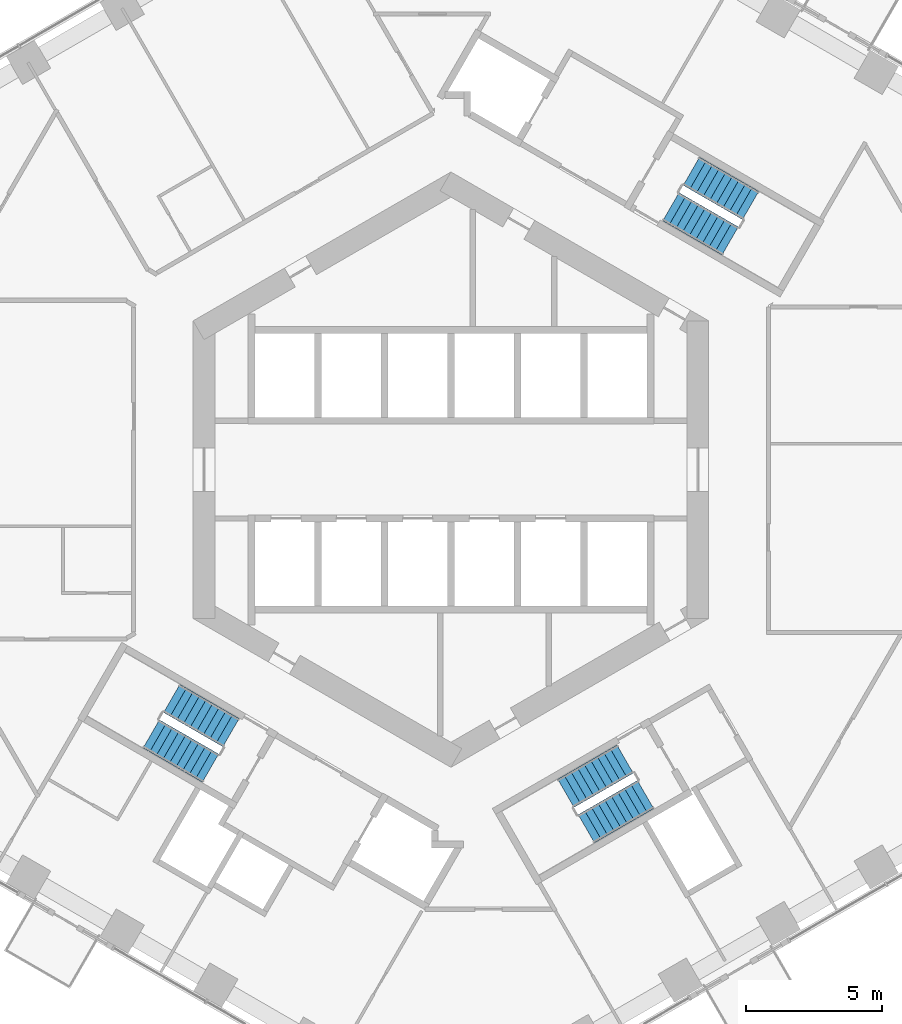
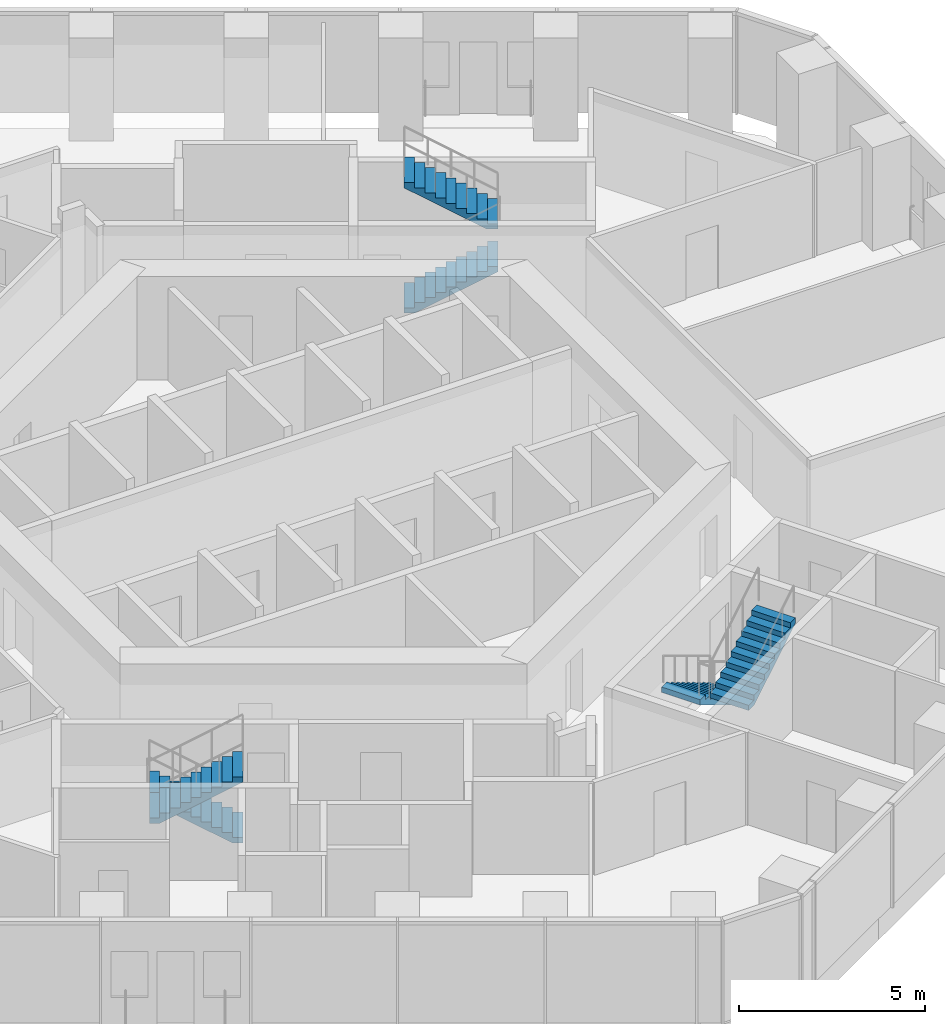
# One storey, part 16 of 19: 6 stair flights, 3 elements without a shape of their own.
"""IFC4 building model written with IfcOpenShell, lengths in metres."""

from ifc_helpers import new_model, si_unit, direction, frame, origin, place, context, subcontext, project, spatial, triangles, material, type_object, element, aggregate, save


model = new_model("IFC4")

# Units and contexts
model_context = context("Model", 3, precision=1e-05, world=origin(), true_north=direction((0.0, 1.0)))
body_context = subcontext(model_context, "Body", "Model", "MODEL_VIEW")
ifc_project = project(units=[si_unit("LENGTHUNIT", "METRE"), si_unit("AREAUNIT", "SQUARE_METRE"), si_unit("VOLUMEUNIT", "CUBIC_METRE"), si_unit("PLANEANGLEUNIT", "RADIAN"), si_unit("MASSUNIT", "GRAM", prefix="KILO")], contexts=[model_context])

# Site, building, storey
site_placement = place(None, origin())
site = spatial("IfcSite", under=ifc_project, at=site_placement, CompositionType="ELEMENT")
building_placement = place(site_placement, origin())
building = spatial("IfcBuilding", under=site, at=building_placement, Name="Ayvan Gate Tower", CompositionType="ELEMENT")
storey_placement = place(building_placement, frame((0.0, 0.0, 39.10009765625)))
storey = spatial("IfcBuildingStorey", under=building, at=storey_placement, Name="L09", CompositionType="ELEMENT", Elevation=39.10009765625)

# Stair, stair flights
ifc_material = material(Name="Concrete C40/50", Category="concrete")
stair_type = type_object("IfcStairType", Name="ST-EXIT", PredefinedType="HALF_TURN_STAIR", material=ifc_material)
stair_1_placement = place(storey_placement, origin())
stair_1 = element("IfcStair", 1, at=stair_1_placement, inside=storey, type_object=stair_type, Name="L09 Exit Stair S1", PredefinedType="HALF_TURN_STAIR")
stair_flight_type = type_object("IfcStairFlightType", Name="SFL-EXIT", PredefinedType="STRAIGHT", material=ifc_material)
stair_flight_1_placement = place(storey_placement, frame((8.106201171875, 9.690185546875, 0.0), z_axis=(0.0, 0.0, 1.0), x_axis=(0.866025403784, -0.5, 0.0)))
stair_flight_1 = element("IfcStairFlight", 2, at=stair_flight_1_placement, type_object=stair_flight_type, Name="STS1 flight 1", NumberOfRisers=10, NumberOfTreads=9, PredefinedType="STRAIGHT", RiserHeight=0.17, TreadLength=0.28, context=body_context, shape_type="Tessellation", body=[
    triangles([(0.288841, -0.599976, 0.0), (2.5205, -0.599976, 1.354936), (2.5205, -0.599976, 1.53), (2.24, -0.599976, 1.53), (2.24, -0.599976, 1.36), (1.96, -0.599976, 1.36), (1.96, -0.599976, 1.19), (1.68, -0.599976, 1.19), (1.68, -0.599976, 1.02), (1.4, -0.599976, 1.02), (1.4, -0.599976, 0.85), (1.12, -0.599976, 0.85), (1.12, -0.599976, 0.68), (0.84, -0.599976, 0.68), (0.84, -0.599976, 0.51), (0.56, -0.599976, 0.51), (0.56, -0.599976, 0.34), (0.28, -0.599976, 0.34), (0.28, -0.599976, 0.17), (-0.0005, -0.599976, 0.17), (-0.0005, -0.599976, 0.0), (0.288841, 0.0, 0.0), (2.5205, 0.0, 1.354936), (2.5205, 0.0, 1.53), (2.24, 0.0, 1.53), (2.24, 0.0, 1.36), (1.96, 0.0, 1.36), (1.96, 0.0, 1.19), (1.68, 0.0, 1.19), (1.68, 0.0, 1.02), (1.4, 0.0, 1.02), (1.4, 0.0, 0.85), (1.12, 0.0, 0.85), (1.12, 0.0, 0.68), (0.84, 0.0, 0.68), (0.84, 0.0, 0.51), (0.56, 0.0, 0.51), (0.56, 0.0, 0.34), (0.28, 0.0, 0.34), (0.28, 0.0, 0.17), (-0.0005, 0.0, 0.17), (-0.0005, 0.0, 0.0), (0.288841, 0.599976, 0.0), (2.5205, 0.599976, 1.354936), (2.5205, 0.599976, 1.53), (2.24, 0.599976, 1.53), (2.24, 0.599976, 1.36), (1.96, 0.599976, 1.36), (1.96, 0.599976, 1.19), (1.68, 0.599976, 1.19), (1.68, 0.599976, 1.02), (1.4, 0.599976, 1.02), (1.4, 0.599976, 0.85), (1.12, 0.599976, 0.85), (1.12, 0.599976, 0.68), (0.84, 0.599976, 0.68), (0.84, 0.599976, 0.51), (0.56, 0.599976, 0.51), (0.56, 0.599976, 0.34), (0.28, 0.599976, 0.34), (0.28, 0.599976, 0.17), (-0.0005, 0.599976, 0.17), (-0.0005, 0.599976, 0.0)], [[21, 1, 2], [63, 44, 43], [2, 3, 4], [44, 46, 45], [2, 4, 5], [44, 47, 46], [2, 5, 6], [44, 48, 47], [2, 6, 7], [44, 49, 48], [7, 8, 9], [49, 51, 50], [2, 7, 9], [44, 51, 49], [9, 10, 11], [51, 53, 52], [2, 9, 11], [44, 53, 51], [11, 12, 13], [53, 55, 54], [2, 11, 13], [44, 55, 53], [13, 14, 15], [55, 57, 56], [2, 13, 15], [44, 57, 55], [15, 16, 17], [57, 59, 58], [2, 15, 17], [44, 59, 57], [17, 18, 19], [59, 61, 60], [2, 17, 19], [44, 61, 59], [21, 2, 19], [63, 61, 44], [19, 20, 21], [61, 63, 62], [1, 22, 23], [1, 23, 2], [43, 23, 22], [43, 44, 23], [2, 23, 24], [2, 24, 3], [44, 24, 23], [44, 45, 24], [3, 24, 25], [3, 25, 4], [45, 25, 24], [45, 46, 25], [4, 25, 26], [4, 26, 5], [46, 26, 25], [46, 47, 26], [5, 26, 27], [5, 27, 6], [47, 27, 26], [47, 48, 27], [6, 27, 28], [6, 28, 7], [48, 28, 27], [48, 49, 28], [7, 28, 29], [7, 29, 8], [49, 29, 28], [49, 50, 29], [8, 29, 30], [8, 30, 9], [50, 30, 29], [50, 51, 30], [9, 30, 31], [9, 31, 10], [51, 31, 30], [51, 52, 31], [10, 31, 32], [10, 32, 11], [52, 32, 31], [52, 53, 32], [11, 32, 33], [11, 33, 12], [53, 33, 32], [53, 54, 33], [12, 33, 34], [12, 34, 13], [54, 34, 33], [54, 55, 34], [13, 34, 35], [13, 35, 14], [55, 35, 34], [55, 56, 35], [14, 35, 36], [14, 36, 15], [56, 36, 35], [56, 57, 36], [15, 36, 37], [15, 37, 16], [57, 37, 36], [57, 58, 37], [16, 37, 38], [16, 38, 17], [58, 38, 37], [58, 59, 38], [17, 38, 39], [17, 39, 18], [59, 39, 38], [59, 60, 39], [18, 39, 40], [18, 40, 19], [60, 40, 39], [60, 61, 40], [19, 40, 41], [19, 41, 20], [61, 41, 40], [61, 62, 41], [20, 41, 42], [20, 42, 21], [62, 42, 41], [62, 63, 42], [21, 42, 22], [21, 22, 1], [63, 22, 42], [63, 43, 22]], closed=True),
])
stair_flight_2_placement = place(storey_placement, frame((11.04345703125, 9.73779296875, 1.699951171875), z_axis=(0.0, 0.0, 1.0), x_axis=(-0.866025403784, 0.5, 0.0)))
stair_flight_2 = element("IfcStairFlight", 3, at=stair_flight_2_placement, type_object=stair_flight_type, Name="STS1 flight 2", NumberOfRisers=10, NumberOfTreads=9, PredefinedType="STRAIGHT", RiserHeight=0.17, TreadLength=0.28, context=body_context, shape_type="Tessellation", body=[
    triangles([(0.288841, -0.599976, 0.0), (2.5205, -0.599976, 1.354936), (2.5205, -0.599976, 1.53), (2.24, -0.599976, 1.53), (2.24, -0.599976, 1.36), (1.96, -0.599976, 1.36), (1.96, -0.599976, 1.19), (1.68, -0.599976, 1.19), (1.68, -0.599976, 1.02), (1.4, -0.599976, 1.02), (1.4, -0.599976, 0.85), (1.12, -0.599976, 0.85), (1.12, -0.599976, 0.68), (0.84, -0.599976, 0.68), (0.84, -0.599976, 0.51), (0.56, -0.599976, 0.51), (0.56, -0.599976, 0.34), (0.28, -0.599976, 0.34), (0.28, -0.599976, 0.17), (-0.0005, -0.599976, 0.17), (-0.0005, -0.599976, 0.0), (0.288841, 0.0, 0.0), (2.5205, 0.0, 1.354936), (2.5205, 0.0, 1.53), (2.24, 0.0, 1.53), (2.24, 0.0, 1.36), (1.96, 0.0, 1.36), (1.96, 0.0, 1.19), (1.68, 0.0, 1.19), (1.68, 0.0, 1.02), (1.4, 0.0, 1.02), (1.4, 0.0, 0.85), (1.12, 0.0, 0.85), (1.12, 0.0, 0.68), (0.84, 0.0, 0.68), (0.84, 0.0, 0.51), (0.56, 0.0, 0.51), (0.56, 0.0, 0.34), (0.28, 0.0, 0.34), (0.28, 0.0, 0.17), (-0.0005, 0.0, 0.17), (-0.0005, 0.0, 0.0), (0.288841, 0.599976, 0.0), (2.5205, 0.599976, 1.354936), (2.5205, 0.599976, 1.53), (2.24, 0.599976, 1.53), (2.24, 0.599976, 1.36), (1.96, 0.599976, 1.36), (1.96, 0.599976, 1.19), (1.68, 0.599976, 1.19), (1.68, 0.599976, 1.02), (1.4, 0.599976, 1.02), (1.4, 0.599976, 0.85), (1.12, 0.599976, 0.85), (1.12, 0.599976, 0.68), (0.84, 0.599976, 0.68), (0.84, 0.599976, 0.51), (0.56, 0.599976, 0.51), (0.56, 0.599976, 0.34), (0.28, 0.599976, 0.34), (0.28, 0.599976, 0.17), (-0.0005, 0.599976, 0.17), (-0.0005, 0.599976, 0.0)], [[21, 1, 2], [63, 44, 43], [2, 3, 4], [44, 46, 45], [2, 4, 5], [44, 47, 46], [2, 5, 6], [44, 48, 47], [2, 6, 7], [44, 49, 48], [7, 8, 9], [49, 51, 50], [2, 7, 9], [44, 51, 49], [9, 10, 11], [51, 53, 52], [2, 9, 11], [44, 53, 51], [11, 12, 13], [53, 55, 54], [2, 11, 13], [44, 55, 53], [13, 14, 15], [55, 57, 56], [2, 13, 15], [44, 57, 55], [15, 16, 17], [57, 59, 58], [2, 15, 17], [44, 59, 57], [17, 18, 19], [59, 61, 60], [2, 17, 19], [44, 61, 59], [21, 2, 19], [63, 61, 44], [19, 20, 21], [61, 63, 62], [1, 22, 23], [1, 23, 2], [43, 23, 22], [43, 44, 23], [2, 23, 24], [2, 24, 3], [44, 24, 23], [44, 45, 24], [3, 24, 25], [3, 25, 4], [45, 25, 24], [45, 46, 25], [4, 25, 26], [4, 26, 5], [46, 26, 25], [46, 47, 26], [5, 26, 27], [5, 27, 6], [47, 27, 26], [47, 48, 27], [6, 27, 28], [6, 28, 7], [48, 28, 27], [48, 49, 28], [7, 28, 29], [7, 29, 8], [49, 29, 28], [49, 50, 29], [8, 29, 30], [8, 30, 9], [50, 30, 29], [50, 51, 30], [9, 30, 31], [9, 31, 10], [51, 31, 30], [51, 52, 31], [10, 31, 32], [10, 32, 11], [52, 32, 31], [52, 53, 32], [11, 32, 33], [11, 33, 12], [53, 33, 32], [53, 54, 33], [12, 33, 34], [12, 34, 13], [54, 34, 33], [54, 55, 34], [13, 34, 35], [13, 35, 14], [55, 35, 34], [55, 56, 35], [14, 35, 36], [14, 36, 15], [56, 36, 35], [56, 57, 36], [15, 36, 37], [15, 37, 16], [57, 37, 36], [57, 58, 37], [16, 37, 38], [16, 38, 17], [58, 38, 37], [58, 59, 38], [17, 38, 39], [17, 39, 18], [59, 39, 38], [59, 60, 39], [18, 39, 40], [18, 40, 19], [60, 40, 39], [60, 61, 40], [19, 40, 41], [19, 41, 20], [61, 41, 40], [61, 62, 41], [20, 41, 42], [20, 42, 21], [62, 42, 41], [62, 63, 42], [21, 42, 22], [21, 22, 1], [63, 22, 42], [63, 43, 22]], closed=True),
])
aggregate(stair_1, [stair_flight_1, stair_flight_2])

stair_2_placement = place(storey_placement, origin())
stair_2 = element("IfcStair", 4, at=stair_2_placement, inside=storey, type_object=stair_type, Name="L09 Exit Stair S2", PredefinedType="HALF_TURN_STAIR")
stair_flight_3_placement = place(storey_placement, frame((-8.106201171875, -9.690185546875, 0.0), z_axis=(0.0, 0.0, 1.0), x_axis=(-0.866025403784, 0.5, 0.0)))
stair_flight_3 = element("IfcStairFlight", 5, at=stair_flight_3_placement, type_object=stair_flight_type, Name="STS2 flight 1", NumberOfRisers=10, NumberOfTreads=9, PredefinedType="STRAIGHT", RiserHeight=0.17, TreadLength=0.28, context=body_context, shape_type="Tessellation", body=[
    triangles([(0.288841, -0.599976, 0.0), (2.5205, -0.599976, 1.354936), (2.5205, -0.599976, 1.53), (2.24, -0.599976, 1.53), (2.24, -0.599976, 1.36), (1.96, -0.599976, 1.36), (1.96, -0.599976, 1.19), (1.68, -0.599976, 1.19), (1.68, -0.599976, 1.02), (1.4, -0.599976, 1.02), (1.4, -0.599976, 0.85), (1.12, -0.599976, 0.85), (1.12, -0.599976, 0.68), (0.84, -0.599976, 0.68), (0.84, -0.599976, 0.51), (0.56, -0.599976, 0.51), (0.56, -0.599976, 0.34), (0.28, -0.599976, 0.34), (0.28, -0.599976, 0.17), (-0.0005, -0.599976, 0.17), (-0.0005, -0.599976, 0.0), (0.288841, 0.0, 0.0), (2.5205, 0.0, 1.354936), (2.5205, 0.0, 1.53), (2.24, 0.0, 1.53), (2.24, 0.0, 1.36), (1.96, 0.0, 1.36), (1.96, 0.0, 1.19), (1.68, 0.0, 1.19), (1.68, 0.0, 1.02), (1.4, 0.0, 1.02), (1.4, 0.0, 0.85), (1.12, 0.0, 0.85), (1.12, 0.0, 0.68), (0.84, 0.0, 0.68), (0.84, 0.0, 0.51), (0.56, 0.0, 0.51), (0.56, 0.0, 0.34), (0.28, 0.0, 0.34), (0.28, 0.0, 0.17), (-0.0005, 0.0, 0.17), (-0.0005, 0.0, 0.0), (0.288841, 0.599976, 0.0), (2.5205, 0.599976, 1.354936), (2.5205, 0.599976, 1.53), (2.24, 0.599976, 1.53), (2.24, 0.599976, 1.36), (1.96, 0.599976, 1.36), (1.96, 0.599976, 1.19), (1.68, 0.599976, 1.19), (1.68, 0.599976, 1.02), (1.4, 0.599976, 1.02), (1.4, 0.599976, 0.85), (1.12, 0.599976, 0.85), (1.12, 0.599976, 0.68), (0.84, 0.599976, 0.68), (0.84, 0.599976, 0.51), (0.56, 0.599976, 0.51), (0.56, 0.599976, 0.34), (0.28, 0.599976, 0.34), (0.28, 0.599976, 0.17), (-0.0005, 0.599976, 0.17), (-0.0005, 0.599976, 0.0)], [[21, 1, 2], [63, 44, 43], [2, 3, 4], [44, 46, 45], [2, 4, 5], [44, 47, 46], [2, 5, 6], [44, 48, 47], [2, 6, 7], [44, 49, 48], [7, 8, 9], [49, 51, 50], [2, 7, 9], [44, 51, 49], [9, 10, 11], [51, 53, 52], [2, 9, 11], [44, 53, 51], [11, 12, 13], [53, 55, 54], [2, 11, 13], [44, 55, 53], [13, 14, 15], [55, 57, 56], [2, 13, 15], [44, 57, 55], [15, 16, 17], [57, 59, 58], [2, 15, 17], [44, 59, 57], [17, 18, 19], [59, 61, 60], [2, 17, 19], [44, 61, 59], [21, 2, 19], [63, 61, 44], [19, 20, 21], [61, 63, 62], [1, 22, 23], [1, 23, 2], [43, 23, 22], [43, 44, 23], [2, 23, 24], [2, 24, 3], [44, 24, 23], [44, 45, 24], [3, 24, 25], [3, 25, 4], [45, 25, 24], [45, 46, 25], [4, 25, 26], [4, 26, 5], [46, 26, 25], [46, 47, 26], [5, 26, 27], [5, 27, 6], [47, 27, 26], [47, 48, 27], [6, 27, 28], [6, 28, 7], [48, 28, 27], [48, 49, 28], [7, 28, 29], [7, 29, 8], [49, 29, 28], [49, 50, 29], [8, 29, 30], [8, 30, 9], [50, 30, 29], [50, 51, 30], [9, 30, 31], [9, 31, 10], [51, 31, 30], [51, 52, 31], [10, 31, 32], [10, 32, 11], [52, 32, 31], [52, 53, 32], [11, 32, 33], [11, 33, 12], [53, 33, 32], [53, 54, 33], [12, 33, 34], [12, 34, 13], [54, 34, 33], [54, 55, 34], [13, 34, 35], [13, 35, 14], [55, 35, 34], [55, 56, 35], [14, 35, 36], [14, 36, 15], [56, 36, 35], [56, 57, 36], [15, 36, 37], [15, 37, 16], [57, 37, 36], [57, 58, 37], [16, 37, 38], [16, 38, 17], [58, 38, 37], [58, 59, 38], [17, 38, 39], [17, 39, 18], [59, 39, 38], [59, 60, 39], [18, 39, 40], [18, 40, 19], [60, 40, 39], [60, 61, 40], [19, 40, 41], [19, 41, 20], [61, 41, 40], [61, 62, 41], [20, 41, 42], [20, 42, 21], [62, 42, 41], [62, 63, 42], [21, 42, 22], [21, 22, 1], [63, 22, 42], [63, 43, 22]], closed=True),
])
stair_flight_4_placement = place(storey_placement, frame((-11.04345703125, -9.73779296875, 1.699951171875), z_axis=(0.0, 0.0, 1.0), x_axis=(0.866025403784, -0.5, 0.0)))
stair_flight_4 = element("IfcStairFlight", 6, at=stair_flight_4_placement, type_object=stair_flight_type, Name="STS2 flight 2", NumberOfRisers=10, NumberOfTreads=9, PredefinedType="STRAIGHT", RiserHeight=0.17, TreadLength=0.28, context=body_context, shape_type="Tessellation", body=[
    triangles([(0.288841, -0.599976, 0.0), (2.5205, -0.599976, 1.354936), (2.5205, -0.599976, 1.53), (2.24, -0.599976, 1.53), (2.24, -0.599976, 1.36), (1.96, -0.599976, 1.36), (1.96, -0.599976, 1.19), (1.68, -0.599976, 1.19), (1.68, -0.599976, 1.02), (1.4, -0.599976, 1.02), (1.4, -0.599976, 0.85), (1.12, -0.599976, 0.85), (1.12, -0.599976, 0.68), (0.84, -0.599976, 0.68), (0.84, -0.599976, 0.51), (0.56, -0.599976, 0.51), (0.56, -0.599976, 0.34), (0.28, -0.599976, 0.34), (0.28, -0.599976, 0.17), (-0.0005, -0.599976, 0.17), (-0.0005, -0.599976, 0.0), (0.288841, 0.0, 0.0), (2.5205, 0.0, 1.354936), (2.5205, 0.0, 1.53), (2.24, 0.0, 1.53), (2.24, 0.0, 1.36), (1.96, 0.0, 1.36), (1.96, 0.0, 1.19), (1.68, 0.0, 1.19), (1.68, 0.0, 1.02), (1.4, 0.0, 1.02), (1.4, 0.0, 0.85), (1.12, 0.0, 0.85), (1.12, 0.0, 0.68), (0.84, 0.0, 0.68), (0.84, 0.0, 0.51), (0.56, 0.0, 0.51), (0.56, 0.0, 0.34), (0.28, 0.0, 0.34), (0.28, 0.0, 0.17), (-0.0005, 0.0, 0.17), (-0.0005, 0.0, 0.0), (0.288841, 0.599976, 0.0), (2.5205, 0.599976, 1.354936), (2.5205, 0.599976, 1.53), (2.24, 0.599976, 1.53), (2.24, 0.599976, 1.36), (1.96, 0.599976, 1.36), (1.96, 0.599976, 1.19), (1.68, 0.599976, 1.19), (1.68, 0.599976, 1.02), (1.4, 0.599976, 1.02), (1.4, 0.599976, 0.85), (1.12, 0.599976, 0.85), (1.12, 0.599976, 0.68), (0.84, 0.599976, 0.68), (0.84, 0.599976, 0.51), (0.56, 0.599976, 0.51), (0.56, 0.599976, 0.34), (0.28, 0.599976, 0.34), (0.28, 0.599976, 0.17), (-0.0005, 0.599976, 0.17), (-0.0005, 0.599976, 0.0)], [[21, 1, 2], [63, 44, 43], [2, 3, 4], [44, 46, 45], [2, 4, 5], [44, 47, 46], [2, 5, 6], [44, 48, 47], [2, 6, 7], [44, 49, 48], [7, 8, 9], [49, 51, 50], [2, 7, 9], [44, 51, 49], [9, 10, 11], [51, 53, 52], [2, 9, 11], [44, 53, 51], [11, 12, 13], [53, 55, 54], [2, 11, 13], [44, 55, 53], [13, 14, 15], [55, 57, 56], [2, 13, 15], [44, 57, 55], [15, 16, 17], [57, 59, 58], [2, 15, 17], [44, 59, 57], [17, 18, 19], [59, 61, 60], [2, 17, 19], [44, 61, 59], [21, 2, 19], [63, 61, 44], [19, 20, 21], [61, 63, 62], [1, 22, 23], [1, 23, 2], [43, 23, 22], [43, 44, 23], [2, 23, 24], [2, 24, 3], [44, 24, 23], [44, 45, 24], [3, 24, 25], [3, 25, 4], [45, 25, 24], [45, 46, 25], [4, 25, 26], [4, 26, 5], [46, 26, 25], [46, 47, 26], [5, 26, 27], [5, 27, 6], [47, 27, 26], [47, 48, 27], [6, 27, 28], [6, 28, 7], [48, 28, 27], [48, 49, 28], [7, 28, 29], [7, 29, 8], [49, 29, 28], [49, 50, 29], [8, 29, 30], [8, 30, 9], [50, 30, 29], [50, 51, 30], [9, 30, 31], [9, 31, 10], [51, 31, 30], [51, 52, 31], [10, 31, 32], [10, 32, 11], [52, 32, 31], [52, 53, 32], [11, 32, 33], [11, 33, 12], [53, 33, 32], [53, 54, 33], [12, 33, 34], [12, 34, 13], [54, 34, 33], [54, 55, 34], [13, 34, 35], [13, 35, 14], [55, 35, 34], [55, 56, 35], [14, 35, 36], [14, 36, 15], [56, 36, 35], [56, 57, 36], [15, 36, 37], [15, 37, 16], [57, 37, 36], [57, 58, 37], [16, 37, 38], [16, 38, 17], [58, 38, 37], [58, 59, 38], [17, 38, 39], [17, 39, 18], [59, 39, 38], [59, 60, 39], [18, 39, 40], [18, 40, 19], [60, 40, 39], [60, 61, 40], [19, 40, 41], [19, 41, 20], [61, 41, 40], [61, 62, 41], [20, 41, 42], [20, 42, 21], [62, 42, 41], [62, 63, 42], [21, 42, 22], [21, 22, 1], [63, 22, 42], [63, 43, 22]], closed=True),
])
aggregate(stair_2, [stair_flight_3, stair_flight_4])

stair_3_placement = place(storey_placement, origin())
stair_3 = element("IfcStair", 7, at=stair_3_placement, inside=storey, type_object=stair_type, Name="L09 Exit Stair S3", PredefinedType="HALF_TURN_STAIR")
stair_flight_5_placement = place(storey_placement, frame((6.417236328125, -10.665283203125, 0.0), z_axis=(0.0, 0.0, 1.0), x_axis=(-0.866025403784, -0.5, 0.0)))
stair_flight_5 = element("IfcStairFlight", 8, at=stair_flight_5_placement, type_object=stair_flight_type, Name="STS3 flight 1", NumberOfRisers=10, NumberOfTreads=9, PredefinedType="STRAIGHT", RiserHeight=0.17, TreadLength=0.28, context=body_context, shape_type="Tessellation", body=[
    triangles([(0.288841, -0.599976, 0.0), (2.5205, -0.599976, 1.354936), (2.5205, -0.599976, 1.53), (2.24, -0.599976, 1.53), (2.24, -0.599976, 1.36), (1.96, -0.599976, 1.36), (1.96, -0.599976, 1.19), (1.68, -0.599976, 1.19), (1.68, -0.599976, 1.02), (1.4, -0.599976, 1.02), (1.4, -0.599976, 0.85), (1.12, -0.599976, 0.85), (1.12, -0.599976, 0.68), (0.84, -0.599976, 0.68), (0.84, -0.599976, 0.51), (0.56, -0.599976, 0.51), (0.56, -0.599976, 0.34), (0.28, -0.599976, 0.34), (0.28, -0.599976, 0.17), (-0.0005, -0.599976, 0.17), (-0.0005, -0.599976, 0.0), (0.288841, 0.0, 0.0), (2.5205, 0.0, 1.354936), (2.5205, 0.0, 1.53), (2.24, 0.0, 1.53), (2.24, 0.0, 1.36), (1.96, 0.0, 1.36), (1.96, 0.0, 1.19), (1.68, 0.0, 1.19), (1.68, 0.0, 1.02), (1.4, 0.0, 1.02), (1.4, 0.0, 0.85), (1.12, 0.0, 0.85), (1.12, 0.0, 0.68), (0.84, 0.0, 0.68), (0.84, 0.0, 0.51), (0.56, 0.0, 0.51), (0.56, 0.0, 0.34), (0.28, 0.0, 0.34), (0.28, 0.0, 0.17), (-0.0005, 0.0, 0.17), (-0.0005, 0.0, 0.0), (0.288841, 0.599976, 0.0), (2.5205, 0.599976, 1.354936), (2.5205, 0.599976, 1.53), (2.24, 0.599976, 1.53), (2.24, 0.599976, 1.36), (1.96, 0.599976, 1.36), (1.96, 0.599976, 1.19), (1.68, 0.599976, 1.19), (1.68, 0.599976, 1.02), (1.4, 0.599976, 1.02), (1.4, 0.599976, 0.85), (1.12, 0.599976, 0.85), (1.12, 0.599976, 0.68), (0.84, 0.599976, 0.68), (0.84, 0.599976, 0.51), (0.56, 0.599976, 0.51), (0.56, 0.599976, 0.34), (0.28, 0.599976, 0.34), (0.28, 0.599976, 0.17), (-0.0005, 0.599976, 0.17), (-0.0005, 0.599976, 0.0)], [[21, 1, 2], [63, 44, 43], [2, 3, 4], [44, 46, 45], [2, 4, 5], [44, 47, 46], [2, 5, 6], [44, 48, 47], [2, 6, 7], [44, 49, 48], [7, 8, 9], [49, 51, 50], [2, 7, 9], [44, 51, 49], [9, 10, 11], [51, 53, 52], [2, 9, 11], [44, 53, 51], [11, 12, 13], [53, 55, 54], [2, 11, 13], [44, 55, 53], [13, 14, 15], [55, 57, 56], [2, 13, 15], [44, 57, 55], [15, 16, 17], [57, 59, 58], [2, 15, 17], [44, 59, 57], [17, 18, 19], [59, 61, 60], [2, 17, 19], [44, 61, 59], [21, 2, 19], [63, 61, 44], [19, 20, 21], [61, 63, 62], [1, 22, 23], [1, 23, 2], [43, 23, 22], [43, 44, 23], [2, 23, 24], [2, 24, 3], [44, 24, 23], [44, 45, 24], [3, 24, 25], [3, 25, 4], [45, 25, 24], [45, 46, 25], [4, 25, 26], [4, 26, 5], [46, 26, 25], [46, 47, 26], [5, 26, 27], [5, 27, 6], [47, 27, 26], [47, 48, 27], [6, 27, 28], [6, 28, 7], [48, 28, 27], [48, 49, 28], [7, 28, 29], [7, 29, 8], [49, 29, 28], [49, 50, 29], [8, 29, 30], [8, 30, 9], [50, 30, 29], [50, 51, 30], [9, 30, 31], [9, 31, 10], [51, 31, 30], [51, 52, 31], [10, 31, 32], [10, 32, 11], [52, 32, 31], [52, 53, 32], [11, 32, 33], [11, 33, 12], [53, 33, 32], [53, 54, 33], [12, 33, 34], [12, 34, 13], [54, 34, 33], [54, 55, 34], [13, 34, 35], [13, 35, 14], [55, 35, 34], [55, 56, 35], [14, 35, 36], [14, 36, 15], [56, 36, 35], [56, 57, 36], [15, 36, 37], [15, 37, 16], [57, 37, 36], [57, 58, 37], [16, 37, 38], [16, 38, 17], [58, 38, 37], [58, 59, 38], [17, 38, 39], [17, 39, 18], [59, 39, 38], [59, 60, 39], [18, 39, 40], [18, 40, 19], [60, 40, 39], [60, 61, 40], [19, 40, 41], [19, 41, 20], [61, 41, 40], [61, 62, 41], [20, 41, 42], [20, 42, 21], [62, 42, 41], [62, 63, 42], [21, 42, 22], [21, 22, 1], [63, 22, 42], [63, 43, 22]], closed=True),
])
stair_flight_6_placement = place(storey_placement, frame((4.989990234375, -13.23291015625, 1.699951171875), z_axis=(0.0, 0.0, 1.0), x_axis=(0.866025403784, 0.5, 0.0)))
stair_flight_6 = element("IfcStairFlight", 9, at=stair_flight_6_placement, type_object=stair_flight_type, Name="STS3 flight 2", NumberOfRisers=10, NumberOfTreads=9, PredefinedType="STRAIGHT", RiserHeight=0.17, TreadLength=0.28, context=body_context, shape_type="Tessellation", body=[
    triangles([(0.288841, -0.599976, 0.0), (2.5205, -0.599976, 1.354936), (2.5205, -0.599976, 1.53), (2.24, -0.599976, 1.53), (2.24, -0.599976, 1.36), (1.96, -0.599976, 1.36), (1.96, -0.599976, 1.19), (1.68, -0.599976, 1.19), (1.68, -0.599976, 1.02), (1.4, -0.599976, 1.02), (1.4, -0.599976, 0.85), (1.12, -0.599976, 0.85), (1.12, -0.599976, 0.68), (0.84, -0.599976, 0.68), (0.84, -0.599976, 0.51), (0.56, -0.599976, 0.51), (0.56, -0.599976, 0.34), (0.28, -0.599976, 0.34), (0.28, -0.599976, 0.17), (-0.0005, -0.599976, 0.17), (-0.0005, -0.599976, 0.0), (0.288841, 0.0, 0.0), (2.5205, 0.0, 1.354936), (2.5205, 0.0, 1.53), (2.24, 0.0, 1.53), (2.24, 0.0, 1.36), (1.96, 0.0, 1.36), (1.96, 0.0, 1.19), (1.68, 0.0, 1.19), (1.68, 0.0, 1.02), (1.4, 0.0, 1.02), (1.4, 0.0, 0.85), (1.12, 0.0, 0.85), (1.12, 0.0, 0.68), (0.84, 0.0, 0.68), (0.84, 0.0, 0.51), (0.56, 0.0, 0.51), (0.56, 0.0, 0.34), (0.28, 0.0, 0.34), (0.28, 0.0, 0.17), (-0.0005, 0.0, 0.17), (-0.0005, 0.0, 0.0), (0.288841, 0.599976, 0.0), (2.5205, 0.599976, 1.354936), (2.5205, 0.599976, 1.53), (2.24, 0.599976, 1.53), (2.24, 0.599976, 1.36), (1.96, 0.599976, 1.36), (1.96, 0.599976, 1.19), (1.68, 0.599976, 1.19), (1.68, 0.599976, 1.02), (1.4, 0.599976, 1.02), (1.4, 0.599976, 0.85), (1.12, 0.599976, 0.85), (1.12, 0.599976, 0.68), (0.84, 0.599976, 0.68), (0.84, 0.599976, 0.51), (0.56, 0.599976, 0.51), (0.56, 0.599976, 0.34), (0.28, 0.599976, 0.34), (0.28, 0.599976, 0.17), (-0.0005, 0.599976, 0.17), (-0.0005, 0.599976, 0.0)], [[21, 1, 2], [63, 44, 43], [2, 3, 4], [44, 46, 45], [2, 4, 5], [44, 47, 46], [2, 5, 6], [44, 48, 47], [2, 6, 7], [44, 49, 48], [7, 8, 9], [49, 51, 50], [2, 7, 9], [44, 51, 49], [9, 10, 11], [51, 53, 52], [2, 9, 11], [44, 53, 51], [11, 12, 13], [53, 55, 54], [2, 11, 13], [44, 55, 53], [13, 14, 15], [55, 57, 56], [2, 13, 15], [44, 57, 55], [15, 16, 17], [57, 59, 58], [2, 15, 17], [44, 59, 57], [17, 18, 19], [59, 61, 60], [2, 17, 19], [44, 61, 59], [21, 2, 19], [63, 61, 44], [19, 20, 21], [61, 63, 62], [1, 22, 23], [1, 23, 2], [43, 23, 22], [43, 44, 23], [2, 23, 24], [2, 24, 3], [44, 24, 23], [44, 45, 24], [3, 24, 25], [3, 25, 4], [45, 25, 24], [45, 46, 25], [4, 25, 26], [4, 26, 5], [46, 26, 25], [46, 47, 26], [5, 26, 27], [5, 27, 6], [47, 27, 26], [47, 48, 27], [6, 27, 28], [6, 28, 7], [48, 28, 27], [48, 49, 28], [7, 28, 29], [7, 29, 8], [49, 29, 28], [49, 50, 29], [8, 29, 30], [8, 30, 9], [50, 30, 29], [50, 51, 30], [9, 30, 31], [9, 31, 10], [51, 31, 30], [51, 52, 31], [10, 31, 32], [10, 32, 11], [52, 32, 31], [52, 53, 32], [11, 32, 33], [11, 33, 12], [53, 33, 32], [53, 54, 33], [12, 33, 34], [12, 34, 13], [54, 34, 33], [54, 55, 34], [13, 34, 35], [13, 35, 14], [55, 35, 34], [55, 56, 35], [14, 35, 36], [14, 36, 15], [56, 36, 35], [56, 57, 36], [15, 36, 37], [15, 37, 16], [57, 37, 36], [57, 58, 37], [16, 37, 38], [16, 38, 17], [58, 38, 37], [58, 59, 38], [17, 38, 39], [17, 39, 18], [59, 39, 38], [59, 60, 39], [18, 39, 40], [18, 40, 19], [60, 40, 39], [60, 61, 40], [19, 40, 41], [19, 41, 20], [61, 41, 40], [61, 62, 41], [20, 41, 42], [20, 42, 21], [62, 42, 41], [62, 63, 42], [21, 42, 22], [21, 22, 1], [63, 22, 42], [63, 43, 22]], closed=True),
])
aggregate(stair_3, [stair_flight_5, stair_flight_6])

save(model, "model.ifc")
